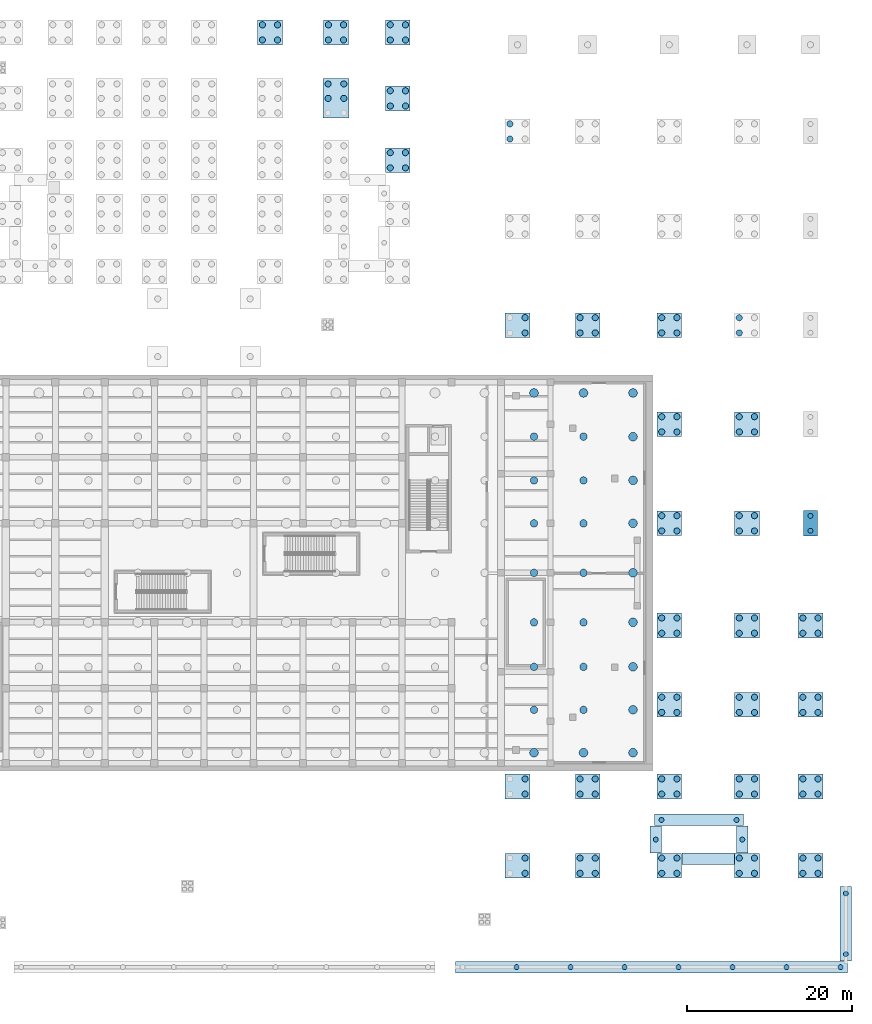
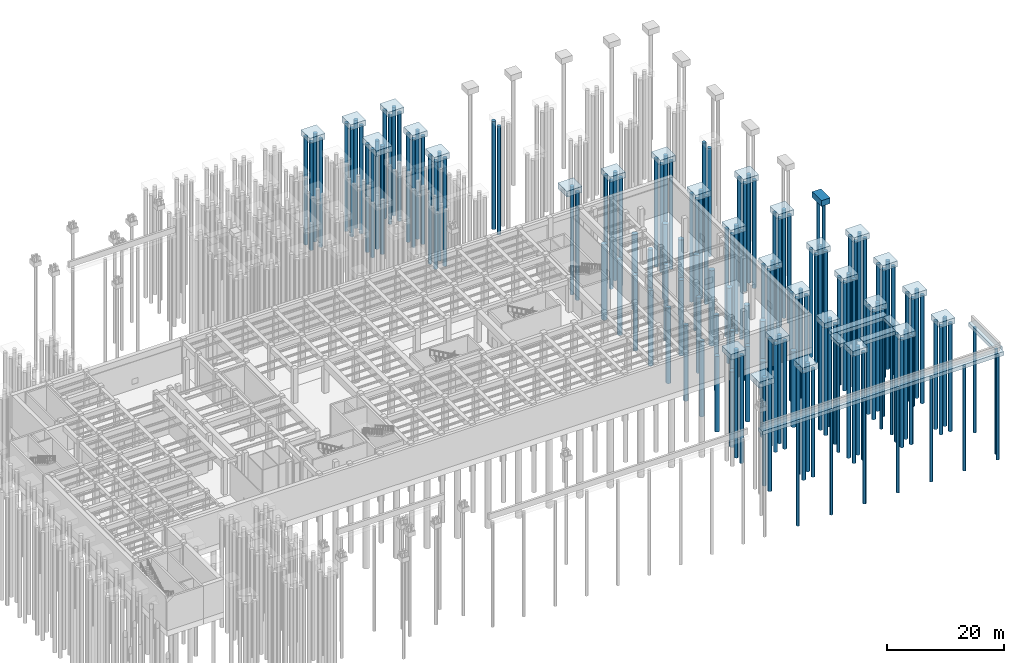
# One storey, part 5 of 30: 156 piles, 36 footings.
"""IFC4 building model written with IfcOpenShell, lengths in metres."""

from ifc_helpers import new_model, si_unit, direction, frame, origin, origin_2d, place, context, subcontext, project, spatial, rectangle, circle, extrude, material, material_profile, profile_set, type_object, element, save


model = new_model("IFC4")

# Units and contexts
model_context = context("Model", 3, precision=1e-05, world=origin(), true_north=direction((0.0, 1.0)))
body_context = subcontext(model_context, "Body", "Model", "MODEL_VIEW")
ifc_project = project(units=[si_unit("LENGTHUNIT", "METRE"), si_unit("AREAUNIT", "SQUARE_METRE"), si_unit("VOLUMEUNIT", "CUBIC_METRE"), si_unit("PLANEANGLEUNIT", "RADIAN"), si_unit("MASSUNIT", "GRAM", prefix="KILO")], contexts=[model_context])

# Site, building, storey
site_placement = place(None, origin())
site = spatial("IfcSite", under=ifc_project, at=site_placement, CompositionType="ELEMENT")
building_placement = place(site_placement, origin())
building = spatial("IfcBuilding", under=site, at=building_placement, Name="Kolvaren Corner Interchange", CompositionType="ELEMENT")
storey_placement = place(building_placement, frame((0.0, 0.0, -7.199951171875)))
storey = spatial("IfcBuildingStorey", under=building, at=storey_placement, Name="B1", CompositionType="ELEMENT", Elevation=-7.199951171875)

# Footings
ifc_material_1 = material(Name="Concrete C40/50", Category="concrete")
footing_type_1 = type_object("IfcFootingType", Name="FC-2P", PredefinedType="PILE_CAP", material=ifc_material_1)
footing_1_placement = place(storey_placement, frame((163.5, 54.0, 5.60009765625), z_axis=(0.0, 0.0, 1.0), x_axis=(1.0, 0.0, 0.0)))
element("IfcFooting", 1, at=footing_1_placement, inside=storey, type_object=footing_type_1, Name="Reinforced Concrete Foundation Pile Cap 135", PredefinedType="PILE_CAP", context=body_context, shape_type="SweptSolid", body=[
    extrude(rectangle(XDim=1.699951171875, YDim=3.10009765625, at=origin_2d()), origin(), (0.0, 0.0, 1.0), 1.199951171875),
])
ifc_material_2 = material(Name="Concrete C40/50", Category="concrete")
footing_type_2 = type_object("IfcFootingType", Name="FC-4P", PredefinedType="PILE_CAP", material=ifc_material_2)
for number, where, z_axis, x_axis, name in (
    (2, (98.0, 113.5, 5.60009765625), (0.0, 0.0, 1.0), (1.0, 0.0, 0.0), "Reinforced Concrete Foundation Pile Cap 084"),
    (3, (106.0, 113.5, 5.60009765625), (0.0, 0.0, 1.0), (1.0, 0.0, 0.0), "Reinforced Concrete Foundation Pile Cap 089"),
    (4, (113.5, 98.0, 5.60009765625), (0.0, 0.0, 1.0), (1.0, 0.0, 0.0), "Reinforced Concrete Foundation Pile Cap 092"),
    (5, (113.5, 105.5, 5.60009765625), (0.0, 0.0, 1.0), (1.0, 0.0, 0.0), "Reinforced Concrete Foundation Pile Cap 093"),
    (6, (113.5, 113.5, 5.60009765625), (0.0, 0.0, 1.0), (1.0, 0.0, 0.0), "Reinforced Concrete Foundation Pile Cap 094"),
    (7, (128.0, 12.5, 5.60009765625), (0.0, 0.0, 1.0), (1.0, 0.0, 0.0), "Reinforced Concrete Foundation Pile Cap 099"),
    (8, (128.0, 22.10009765625, 5.60009765625), (0.0, 0.0, 1.0), (1.0, 0.0, 0.0), "Reinforced Concrete Foundation Pile Cap 100"),
    (9, (128.0, 78.0, 5.60009765625), (0.0, 0.0, 1.0), (1.0, 0.0, 0.0), "Reinforced Concrete Foundation Pile Cap 101"),
    (10, (136.5, 12.5, 5.60009765625), (0.0, 0.0, 1.0), (1.0, 0.0, 0.0), "Reinforced Concrete Foundation Pile Cap 105"),
    (11, (136.5, 22.10009765625, 5.60009765625), (0.0, 0.0, 1.0), (1.0, 0.0, 0.0), "Reinforced Concrete Foundation Pile Cap 106"),
    (12, (136.5, 78.0, 5.60009765625), (0.0, 0.0, 1.0), (1.0, 0.0, 0.0), "Reinforced Concrete Foundation Pile Cap 107"),
    (13, (146.39990234375, 12.5, 5.60009765625), (0.0, 0.0, 1.0), (1.0, 0.0, 0.0), "Reinforced Concrete Foundation Pile Cap 111"),
    (14, (146.39990234375, 22.10009765625, 5.60009765625), (0.0, 0.0, 1.0), (1.0, 0.0, 0.0), "Reinforced Concrete Foundation Pile Cap 112"),
    (15, (146.39990234375, 32.0, 5.60009765625), (0.0, 0.0, 1.0), (1.0, 0.0, 0.0), "Reinforced Concrete Foundation Pile Cap 113"),
    (16, (146.39990234375, 41.60009765625, 5.60009765625), (0.0, 0.0, 1.0), (1.0, 0.0, 0.0), "Reinforced Concrete Foundation Pile Cap 114"),
    (17, (146.39990234375, 54.0, 5.60009765625), (0.0, 0.0, 1.0), (1.0, 0.0, 0.0), "Reinforced Concrete Foundation Pile Cap 115"),
    (18, (146.39990234375, 66.0, 5.60009765625), (0.0, 0.0, 1.0), (1.0, 0.0, 0.0), "Reinforced Concrete Foundation Pile Cap 116"),
    (19, (146.39990234375, 78.0, 5.60009765625), (0.0, 0.0, 1.0), (1.0, 0.0, 0.0), "Reinforced Concrete Foundation Pile Cap 117"),
    (20, (155.800048828125, 12.5, 5.60009765625), (0.0, 0.0, 1.0), (1.0, 0.0, 0.0), "Reinforced Concrete Foundation Pile Cap 121"),
    (21, (155.800048828125, 22.10009765625, 5.60009765625), (0.0, 0.0, 1.0), (1.0, 0.0, 0.0), "Reinforced Concrete Foundation Pile Cap 122"),
    (22, (155.800048828125, 32.0, 5.60009765625), (0.0, 0.0, 1.0), (1.0, 0.0, 0.0), "Reinforced Concrete Foundation Pile Cap 123"),
    (23, (155.800048828125, 41.60009765625, 5.60009765625), (0.0, 0.0, 1.0), (1.0, 0.0, 0.0), "Reinforced Concrete Foundation Pile Cap 124"),
    (24, (155.800048828125, 54.0, 5.60009765625), (0.0, 0.0, 1.0), (1.0, 0.0, 0.0), "Reinforced Concrete Foundation Pile Cap 125"),
    (25, (155.800048828125, 66.0, 5.60009765625), (0.0, 0.0, 1.0), (1.0, 0.0, 0.0), "Reinforced Concrete Foundation Pile Cap 126"),
    (26, (163.5, 12.5, 5.60009765625), (0.0, 0.0, 1.0), (1.0, 0.0, 0.0), "Reinforced Concrete Foundation Pile Cap 131"),
    (27, (163.5, 22.10009765625, 5.60009765625), (0.0, 0.0, 1.0), (1.0, 0.0, 0.0), "Reinforced Concrete Foundation Pile Cap 132"),
    (28, (163.5, 32.0, 5.60009765625), (0.0, 0.0, 1.0), (1.0, 0.0, 0.0), "Reinforced Concrete Foundation Pile Cap 133"),
    (29, (163.5, 41.60009765625, 5.60009765625), (0.0, 0.0, 1.0), (1.0, 0.0, 0.0), "Reinforced Concrete Foundation Pile Cap 134"),
):
    element("IfcFooting", number, at=place(storey_placement, frame(where, z_axis=z_axis, x_axis=x_axis)), inside=storey, type_object=footing_type_2, Name=name, PredefinedType="PILE_CAP", context=body_context, shape_type="SweptSolid", body=[
        extrude(rectangle(XDim=3.0, YDim=3.0, at=origin_2d()), origin(), (0.0, 0.0, 1.0), 1.199951171875),
    ])
ifc_material_3 = material(Name="Concrete C40/50", Category="concrete")
footing_type_3 = type_object("IfcFootingType", Name="FC-6P", PredefinedType="PILE_CAP", material=ifc_material_3)
footing_2_placement = place(storey_placement, frame((106.0, 105.5, 5.60009765625), z_axis=(0.0, 0.0, 1.0), x_axis=(1.0, 0.0, 0.0)))
element("IfcFooting", 30, at=footing_2_placement, inside=storey, type_object=footing_type_3, Name="Reinforced Concrete Foundation Pile Cap 088", PredefinedType="PILE_CAP", context=body_context, shape_type="SweptSolid", body=[
    extrude(rectangle(XDim=3.199951171875, YDim=4.800048828125, at=origin_2d()), origin(), (0.0, 0.0, 1.0), 1.199951171875),
])
ifc_material_4 = material(Name="Concrete C40/50", Category="concrete")
ifc_material_profile_1 = material_profile(ifc_material_4, rectangle(XDim=1.39990234375, YDim=0.800048828125, at=origin_2d()), Name="STRIP 1400x800")
ifc_profile_set_1 = profile_set([ifc_material_profile_1], Name="Concrete C40/50")
footing_type_4 = type_object("IfcFootingType", Name="FS-STRIP1", PredefinedType="STRIP_FOOTING", material=ifc_profile_set_1)
footing_3_placement = place(storey_placement, frame((120.5, 0.2099609375, 5.300048828125), z_axis=(1.0, 0.0, 0.0), x_axis=(0.0, 1.0, 0.0)))
element("IfcFooting", 31, at=footing_3_placement, inside=storey, type_object=footing_type_4, Name="Southeast Bus Apron Plinth Strip Footing", PredefinedType="STRIP_FOOTING", context=body_context, shape_type="SweptSolid", body=[
    extrude(rectangle(XDim=1.39990234375, YDim=0.800048828125, at=origin_2d()), origin(), (0.0, 0.0, 1.0), 47.5),
])
footing_4_placement = place(storey_placement, frame((167.7900390625, 0.929931640625, 5.300048828125), z_axis=(0.0, 1.0, 0.0), x_axis=(-1.0, 0.0, 0.0)))
element("IfcFooting", 32, at=footing_4_placement, inside=storey, type_object=footing_type_4, Name="East Apron Plinth Strip Footing", PredefinedType="STRIP_FOOTING", context=body_context, shape_type="SweptSolid", body=[
    extrude(rectangle(XDim=1.39990234375, YDim=0.800048828125, at=origin_2d()), origin(), (0.0, 0.0, 1.0), 9.070068359375),
])
footing_5_placement = place(storey_placement, frame((147.919921875, 13.35498046875, 6.39990234375), z_axis=(1.0, 0.0, 0.0), x_axis=(0.0, 1.0, 0.0)))
element("IfcFooting", 33, at=footing_5_placement, inside=storey, type_object=footing_type_4, Name="Bus Dispatch Lounge Exit Stair South Strip Footing", PredefinedType="STRIP_FOOTING", context=body_context, shape_type="SweptSolid", body=[
    extrude(rectangle(XDim=1.39990234375, YDim=0.800048828125, at=origin_2d()), origin(), (0.0, 0.0, 1.0), 6.360107421875),
])
footing_6_placement = place(storey_placement, frame((144.60009765625, 18.044921875, 6.39990234375), z_axis=(1.0, 0.0, 0.0), x_axis=(0.0, 1.0, 0.0)))
element("IfcFooting", 34, at=footing_6_placement, inside=storey, type_object=footing_type_4, Name="Bus Dispatch Lounge Exit Stair North Strip Footing", PredefinedType="STRIP_FOOTING", context=body_context, shape_type="SweptSolid", body=[
    extrude(rectangle(XDim=1.39990234375, YDim=0.800048828125, at=origin_2d()), origin(), (0.0, 0.0, 1.0), 10.7998046875),
])
for number, where, z_axis, x_axis, name in (
    (35, (144.7548828125, 14.02001953125, 6.39990234375), (0.0, 1.0, 0.0), (-1.0, 0.0, 0.0), "Bus Dispatch Lounge Exit Stair West Strip Footing"),
    (36, (155.2451171875, 14.02001953125, 6.39990234375), (0.0, 1.0, 0.0), (-1.0, 0.0, 0.0), "Bus Dispatch Lounge Exit Stair East Strip Footing"),
):
    element("IfcFooting", number, at=place(storey_placement, frame(where, z_axis=z_axis, x_axis=x_axis)), inside=storey, type_object=footing_type_4, Name=name, PredefinedType="STRIP_FOOTING", context=body_context, shape_type="SweptSolid", body=[
        extrude(rectangle(XDim=1.39990234375, YDim=0.800048828125, at=origin_2d()), origin(), (0.0, 0.0, 1.0), 3.304931640625),
    ])

# Piles
ifc_material_5 = material(Name="Concrete C40/50", Category="concrete")
ifc_material_profile_2 = material_profile(ifc_material_5, circle(Radius=0.52490234375, at=origin_2d()), Name="BORED PILE 1050")
ifc_profile_set_2 = profile_set([ifc_material_profile_2], Name="Concrete C40/50")
pile_type_1 = type_object("IfcPileType", Name="PILE-BP1050", PredefinedType="BORED", material=ifc_profile_set_2)
for number, where, z_axis, x_axis, name in (
    (37, (130.0, 26.199951171875, -1.10009765625), (0.0, 0.0, -1.0), (1.0, 0.0, 0.0), "Metro Base Raft Rotary Bored Pile 0172"),
    (38, (130.0, 69.800048828125, -1.10009765625), (0.0, 0.0, -1.0), (1.0, 0.0, 0.0), "Metro Base Raft Rotary Bored Pile 0180"),
    (39, (136.0, 26.199951171875, -1.10009765625), (0.0, 0.0, -1.0), (1.0, 0.0, 0.0), "Metro Base Raft Rotary Bored Pile 0181"),
    (40, (136.0, 69.800048828125, -1.10009765625), (0.0, 0.0, -1.0), (1.0, 0.0, 0.0), "Metro Base Raft Rotary Bored Pile 0189"),
    (41, (142.0, 26.199951171875, -1.10009765625), (0.0, 0.0, -1.0), (1.0, 0.0, 0.0), "Metro Base Raft Rotary Bored Pile 0190"),
    (42, (142.0, 31.39990234375, -1.10009765625), (0.0, 0.0, -1.0), (1.0, 0.0, 0.0), "Metro Base Raft Rotary Bored Pile 0191"),
    (43, (142.0, 36.60009765625, -1.10009765625), (0.0, 0.0, -1.0), (1.0, 0.0, 0.0), "Metro Base Raft Rotary Bored Pile 0192"),
    (44, (142.0, 42.0, -1.10009765625), (0.0, 0.0, -1.0), (1.0, 0.0, 0.0), "Metro Base Raft Rotary Bored Pile 0193"),
    (45, (142.0, 48.0, -1.10009765625), (0.0, 0.0, -1.0), (1.0, 0.0, 0.0), "Metro Base Raft Rotary Bored Pile 0194"),
    (46, (142.0, 54.0, -1.10009765625), (0.0, 0.0, -1.0), (1.0, 0.0, 0.0), "Metro Base Raft Rotary Bored Pile 0195"),
    (47, (142.0, 59.199951171875, -1.10009765625), (0.0, 0.0, -1.0), (1.0, 0.0, 0.0), "Metro Base Raft Rotary Bored Pile 0196"),
    (48, (142.0, 64.5, -1.10009765625), (0.0, 0.0, -1.0), (1.0, 0.0, 0.0), "Metro Base Raft Rotary Bored Pile 0197"),
    (49, (142.0, 69.800048828125, -1.10009765625), (0.0, 0.0, -1.0), (1.0, 0.0, 0.0), "Metro Base Raft Rotary Bored Pile 0198"),
):
    element("IfcPile", number, at=place(storey_placement, frame(where, z_axis=z_axis, x_axis=x_axis)), inside=storey, type_object=pile_type_1, Name=name, PredefinedType="BORED", context=body_context, shape_type="SweptSolid", body=[
        extrude(circle(Radius=0.52490234375, at=origin_2d()), origin(), (0.0, 0.0, 1.0), 15.699951171875),
    ])
ifc_material_6 = material(Name="Concrete C40/50", Category="concrete")
ifc_material_profile_3 = material_profile(ifc_material_6, circle(Radius=0.300048828125, at=origin_2d()), Name="BORED PILE 600")
ifc_profile_set_3 = profile_set([ifc_material_profile_3], Name="Concrete C40/50")
pile_type_2 = type_object("IfcPileType", Name="PILE-BP600", PredefinedType="BORED", material=ifc_profile_set_3)
for number, where, z_axis, x_axis, name in (
    (50, (163.5, 53.10009765625, 5.699951171875), (0.0, 0.0, -1.0), (1.0, 0.0, 0.0), "Pile Cap Rotary Bored Pile 0507"),
    (51, (163.5, 54.89990234375, 5.699951171875), (0.0, 0.0, -1.0), (1.0, 0.0, 0.0), "Pile Cap Rotary Bored Pile 0508"),
):
    element("IfcPile", number, at=place(storey_placement, frame(where, z_axis=z_axis, x_axis=x_axis)), inside=storey, type_object=pile_type_2, Name=name, PredefinedType="BORED", context=body_context, shape_type="SweptSolid", body=[
        extrude(circle(Radius=0.300048828125, at=origin_2d()), origin(), (0.0, 0.0, 1.0), 22.5),
    ])
for number, where, z_axis, x_axis, name in (
    (52, (127.892822265625, 0.2099609375, 5.0), (0.0, 0.0, -1.0), (1.0, 0.0, 0.0), "Southeast Bus Apron Plinth Strip Footing Bored Pile 011"),
    (53, (134.435791015625, 0.2099609375, 5.0), (0.0, 0.0, -1.0), (1.0, 0.0, 0.0), "Southeast Bus Apron Plinth Strip Footing Bored Pile 012"),
    (54, (140.978515625, 0.2099609375, 5.0), (0.0, 0.0, -1.0), (1.0, 0.0, 0.0), "Southeast Bus Apron Plinth Strip Footing Bored Pile 013"),
    (55, (147.521484375, 0.2099609375, 5.0), (0.0, 0.0, -1.0), (1.0, 0.0, 0.0), "Southeast Bus Apron Plinth Strip Footing Bored Pile 014"),
    (56, (154.064208984375, 0.2099609375, 5.0), (0.0, 0.0, -1.0), (1.0, 0.0, 0.0), "Southeast Bus Apron Plinth Strip Footing Bored Pile 015"),
    (57, (160.607177734375, 0.2099609375, 5.0), (0.0, 0.0, -1.0), (1.0, 0.0, 0.0), "Southeast Bus Apron Plinth Strip Footing Bored Pile 016"),
    (58, (167.14990234375, 0.2099609375, 5.0), (0.0, 0.0, -1.0), (1.0, 0.0, 0.0), "Southeast Bus Apron Plinth Strip Footing Bored Pile 017"),
    (59, (167.7900390625, 1.780029296875, 5.0), (0.0, 0.0, -1.0), (1.0, 0.0, 0.0), "East Apron Plinth Strip Footing Bored Pile 018"),
    (60, (167.7900390625, 9.14990234375, 5.0), (0.0, 0.0, -1.0), (1.0, 0.0, 0.0), "East Apron Plinth Strip Footing Bored Pile 019"),
):
    element("IfcPile", number, at=place(storey_placement, frame(where, z_axis=z_axis, x_axis=x_axis)), inside=storey, type_object=pile_type_2, Name=name, PredefinedType="BORED", context=body_context, shape_type="SweptSolid", body=[
        extrude(circle(Radius=0.300048828125, at=origin_2d()), origin(), (0.0, 0.0, 1.0), 21.800048828125),
    ])
for number, where, z_axis, x_axis, name in (
    (61, (145.449951171875, 18.044921875, 6.099853515625), (0.0, 0.0, -1.0), (1.0, 0.0, 0.0), "Bus Dispatch Lounge Exit Stair North Bored Pile 003"),
    (62, (154.550048828125, 18.044921875, 6.099853515625), (0.0, 0.0, -1.0), (1.0, 0.0, 0.0), "Bus Dispatch Lounge Exit Stair North Bored Pile 004"),
    (63, (144.7548828125, 15.672607421875, 6.099853515625), (0.0, 0.0, -1.0), (1.0, 0.0, 0.0), "Bus Dispatch Lounge Exit Stair West Bored Pile 005"),
    (64, (155.2451171875, 15.672607421875, 6.099853515625), (0.0, 0.0, -1.0), (1.0, 0.0, 0.0), "Bus Dispatch Lounge Exit Stair East Bored Pile 006"),
):
    element("IfcPile", number, at=place(storey_placement, frame(where, z_axis=z_axis, x_axis=x_axis)), inside=storey, type_object=pile_type_2, Name=name, PredefinedType="BORED", context=body_context, shape_type="SweptSolid", body=[
        extrude(circle(Radius=0.300048828125, at=origin_2d()), origin(), (0.0, 0.0, 1.0), 22.89990234375),
    ])
ifc_material_7 = material(Name="Concrete C40/50", Category="concrete")
ifc_material_profile_4 = material_profile(ifc_material_7, circle(Radius=0.375, at=origin_2d()), Name="BORED PILE 750")
ifc_profile_set_4 = profile_set([ifc_material_profile_4], Name="Concrete C40/50")
pile_type_3 = type_object("IfcPileType", Name="PILE-BP750", PredefinedType="BORED", material=ifc_profile_set_4)
for number, where, z_axis, x_axis, name in (
    (65, (97.080078125, 112.580078125, 5.699951171875), (0.0, 0.0, -1.0), (1.0, 0.0, 0.0), "Pile Cap Rotary Bored Pile 0321"),
    (66, (98.919921875, 112.580078125, 5.699951171875), (0.0, 0.0, -1.0), (1.0, 0.0, 0.0), "Pile Cap Rotary Bored Pile 0322"),
    (67, (97.080078125, 114.419921875, 5.699951171875), (0.0, 0.0, -1.0), (1.0, 0.0, 0.0), "Pile Cap Rotary Bored Pile 0323"),
    (68, (98.919921875, 114.419921875, 5.699951171875), (0.0, 0.0, -1.0), (1.0, 0.0, 0.0), "Pile Cap Rotary Bored Pile 0324"),
    (69, (105.050048828125, 105.5, 5.699951171875), (0.0, 0.0, -1.0), (1.0, 0.0, 0.0), "Pile Cap Rotary Bored Pile 0343"),
    (70, (106.949951171875, 105.5, 5.699951171875), (0.0, 0.0, -1.0), (1.0, 0.0, 0.0), "Pile Cap Rotary Bored Pile 0344"),
    (71, (105.050048828125, 107.25, 5.699951171875), (0.0, 0.0, -1.0), (1.0, 0.0, 0.0), "Pile Cap Rotary Bored Pile 0345"),
    (72, (106.949951171875, 107.25, 5.699951171875), (0.0, 0.0, -1.0), (1.0, 0.0, 0.0), "Pile Cap Rotary Bored Pile 0346"),
    (73, (105.080078125, 112.580078125, 5.699951171875), (0.0, 0.0, -1.0), (1.0, 0.0, 0.0), "Pile Cap Rotary Bored Pile 0347"),
    (74, (106.919921875, 112.580078125, 5.699951171875), (0.0, 0.0, -1.0), (1.0, 0.0, 0.0), "Pile Cap Rotary Bored Pile 0348"),
    (75, (105.080078125, 114.419921875, 5.699951171875), (0.0, 0.0, -1.0), (1.0, 0.0, 0.0), "Pile Cap Rotary Bored Pile 0349"),
    (76, (106.919921875, 114.419921875, 5.699951171875), (0.0, 0.0, -1.0), (1.0, 0.0, 0.0), "Pile Cap Rotary Bored Pile 0350"),
    (77, (112.580078125, 97.080078125, 5.699951171875), (0.0, 0.0, -1.0), (1.0, 0.0, 0.0), "Pile Cap Rotary Bored Pile 0359"),
    (78, (114.419921875, 97.080078125, 5.699951171875), (0.0, 0.0, -1.0), (1.0, 0.0, 0.0), "Pile Cap Rotary Bored Pile 0360"),
    (79, (112.580078125, 98.919921875, 5.699951171875), (0.0, 0.0, -1.0), (1.0, 0.0, 0.0), "Pile Cap Rotary Bored Pile 0361"),
    (80, (114.419921875, 98.919921875, 5.699951171875), (0.0, 0.0, -1.0), (1.0, 0.0, 0.0), "Pile Cap Rotary Bored Pile 0362"),
    (81, (112.580078125, 104.580078125, 5.699951171875), (0.0, 0.0, -1.0), (1.0, 0.0, 0.0), "Pile Cap Rotary Bored Pile 0363"),
    (82, (114.419921875, 104.580078125, 5.699951171875), (0.0, 0.0, -1.0), (1.0, 0.0, 0.0), "Pile Cap Rotary Bored Pile 0364"),
    (83, (112.580078125, 106.419921875, 5.699951171875), (0.0, 0.0, -1.0), (1.0, 0.0, 0.0), "Pile Cap Rotary Bored Pile 0365"),
    (84, (114.419921875, 106.419921875, 5.699951171875), (0.0, 0.0, -1.0), (1.0, 0.0, 0.0), "Pile Cap Rotary Bored Pile 0366"),
    (85, (112.580078125, 112.580078125, 5.699951171875), (0.0, 0.0, -1.0), (1.0, 0.0, 0.0), "Pile Cap Rotary Bored Pile 0367"),
    (86, (114.419921875, 112.580078125, 5.699951171875), (0.0, 0.0, -1.0), (1.0, 0.0, 0.0), "Pile Cap Rotary Bored Pile 0368"),
    (87, (112.580078125, 114.419921875, 5.699951171875), (0.0, 0.0, -1.0), (1.0, 0.0, 0.0), "Pile Cap Rotary Bored Pile 0369"),
    (88, (114.419921875, 114.419921875, 5.699951171875), (0.0, 0.0, -1.0), (1.0, 0.0, 0.0), "Pile Cap Rotary Bored Pile 0370"),
    (89, (128.919921875, 11.580078125, 5.699951171875), (0.0, 0.0, -1.0), (1.0, 0.0, 0.0), "Pile Cap Rotary Bored Pile 0376"),
    (90, (128.919921875, 13.419921875, 5.699951171875), (0.0, 0.0, -1.0), (1.0, 0.0, 0.0), "Pile Cap Rotary Bored Pile 0378"),
    (91, (128.919921875, 21.179931640625, 5.699951171875), (0.0, 0.0, -1.0), (1.0, 0.0, 0.0), "Pile Cap Rotary Bored Pile 0380"),
    (92, (128.919921875, 23.02001953125, 5.699951171875), (0.0, 0.0, -1.0), (1.0, 0.0, 0.0), "Pile Cap Rotary Bored Pile 0382"),
    (93, (128.919921875, 77.080078125, 5.699951171875), (0.0, 0.0, -1.0), (1.0, 0.0, 0.0), "Pile Cap Rotary Bored Pile 0384"),
    (94, (128.919921875, 78.919921875, 5.699951171875), (0.0, 0.0, -1.0), (1.0, 0.0, 0.0), "Pile Cap Rotary Bored Pile 0386"),
    (95, (127.080078125, 100.580078125, 5.699951171875), (0.0, 0.0, -1.0), (1.0, 0.0, 0.0), "Pile Cap Rotary Bored Pile 0391"),
    (96, (127.080078125, 102.419921875, 5.699951171875), (0.0, 0.0, -1.0), (1.0, 0.0, 0.0), "Pile Cap Rotary Bored Pile 0393"),
    (97, (135.580078125, 11.580078125, 5.699951171875), (0.0, 0.0, -1.0), (1.0, 0.0, 0.0), "Pile Cap Rotary Bored Pile 0396"),
    (98, (137.419921875, 11.580078125, 5.699951171875), (0.0, 0.0, -1.0), (1.0, 0.0, 0.0), "Pile Cap Rotary Bored Pile 0397"),
    (99, (135.580078125, 13.419921875, 5.699951171875), (0.0, 0.0, -1.0), (1.0, 0.0, 0.0), "Pile Cap Rotary Bored Pile 0398"),
    (100, (137.419921875, 13.419921875, 5.699951171875), (0.0, 0.0, -1.0), (1.0, 0.0, 0.0), "Pile Cap Rotary Bored Pile 0399"),
    (101, (135.580078125, 21.179931640625, 5.699951171875), (0.0, 0.0, -1.0), (1.0, 0.0, 0.0), "Pile Cap Rotary Bored Pile 0400"),
    (102, (137.419921875, 21.179931640625, 5.699951171875), (0.0, 0.0, -1.0), (1.0, 0.0, 0.0), "Pile Cap Rotary Bored Pile 0401"),
    (103, (135.580078125, 23.02001953125, 5.699951171875), (0.0, 0.0, -1.0), (1.0, 0.0, 0.0), "Pile Cap Rotary Bored Pile 0402"),
    (104, (137.419921875, 23.02001953125, 5.699951171875), (0.0, 0.0, -1.0), (1.0, 0.0, 0.0), "Pile Cap Rotary Bored Pile 0403"),
    (105, (135.580078125, 77.080078125, 5.699951171875), (0.0, 0.0, -1.0), (1.0, 0.0, 0.0), "Pile Cap Rotary Bored Pile 0404"),
    (106, (137.419921875, 77.080078125, 5.699951171875), (0.0, 0.0, -1.0), (1.0, 0.0, 0.0), "Pile Cap Rotary Bored Pile 0405"),
    (107, (135.580078125, 78.919921875, 5.699951171875), (0.0, 0.0, -1.0), (1.0, 0.0, 0.0), "Pile Cap Rotary Bored Pile 0406"),
    (108, (137.419921875, 78.919921875, 5.699951171875), (0.0, 0.0, -1.0), (1.0, 0.0, 0.0), "Pile Cap Rotary Bored Pile 0407"),
    (109, (145.47998046875, 11.580078125, 5.699951171875), (0.0, 0.0, -1.0), (1.0, 0.0, 0.0), "Pile Cap Rotary Bored Pile 0417"),
    (110, (147.320068359375, 11.580078125, 5.699951171875), (0.0, 0.0, -1.0), (1.0, 0.0, 0.0), "Pile Cap Rotary Bored Pile 0418"),
    (111, (145.47998046875, 13.419921875, 5.699951171875), (0.0, 0.0, -1.0), (1.0, 0.0, 0.0), "Pile Cap Rotary Bored Pile 0419"),
    (112, (147.320068359375, 13.419921875, 5.699951171875), (0.0, 0.0, -1.0), (1.0, 0.0, 0.0), "Pile Cap Rotary Bored Pile 0420"),
    (113, (145.47998046875, 21.179931640625, 5.699951171875), (0.0, 0.0, -1.0), (1.0, 0.0, 0.0), "Pile Cap Rotary Bored Pile 0421"),
    (114, (147.320068359375, 21.179931640625, 5.699951171875), (0.0, 0.0, -1.0), (1.0, 0.0, 0.0), "Pile Cap Rotary Bored Pile 0422"),
    (115, (145.47998046875, 23.02001953125, 5.699951171875), (0.0, 0.0, -1.0), (1.0, 0.0, 0.0), "Pile Cap Rotary Bored Pile 0423"),
    (116, (147.320068359375, 23.02001953125, 5.699951171875), (0.0, 0.0, -1.0), (1.0, 0.0, 0.0), "Pile Cap Rotary Bored Pile 0424"),
    (117, (145.47998046875, 31.080078125, 5.699951171875), (0.0, 0.0, -1.0), (1.0, 0.0, 0.0), "Pile Cap Rotary Bored Pile 0425"),
    (118, (147.320068359375, 31.080078125, 5.699951171875), (0.0, 0.0, -1.0), (1.0, 0.0, 0.0), "Pile Cap Rotary Bored Pile 0426"),
    (119, (145.47998046875, 32.919921875, 5.699951171875), (0.0, 0.0, -1.0), (1.0, 0.0, 0.0), "Pile Cap Rotary Bored Pile 0427"),
    (120, (147.320068359375, 32.919921875, 5.699951171875), (0.0, 0.0, -1.0), (1.0, 0.0, 0.0), "Pile Cap Rotary Bored Pile 0428"),
    (121, (145.47998046875, 40.679931640625, 5.699951171875), (0.0, 0.0, -1.0), (1.0, 0.0, 0.0), "Pile Cap Rotary Bored Pile 0429"),
    (122, (147.320068359375, 40.679931640625, 5.699951171875), (0.0, 0.0, -1.0), (1.0, 0.0, 0.0), "Pile Cap Rotary Bored Pile 0430"),
    (123, (145.47998046875, 42.52001953125, 5.699951171875), (0.0, 0.0, -1.0), (1.0, 0.0, 0.0), "Pile Cap Rotary Bored Pile 0431"),
    (124, (147.320068359375, 42.52001953125, 5.699951171875), (0.0, 0.0, -1.0), (1.0, 0.0, 0.0), "Pile Cap Rotary Bored Pile 0432"),
    (125, (145.47998046875, 53.080078125, 5.699951171875), (0.0, 0.0, -1.0), (1.0, 0.0, 0.0), "Pile Cap Rotary Bored Pile 0433"),
    (126, (147.320068359375, 53.080078125, 5.699951171875), (0.0, 0.0, -1.0), (1.0, 0.0, 0.0), "Pile Cap Rotary Bored Pile 0434"),
    (127, (145.47998046875, 54.919921875, 5.699951171875), (0.0, 0.0, -1.0), (1.0, 0.0, 0.0), "Pile Cap Rotary Bored Pile 0435"),
    (128, (147.320068359375, 54.919921875, 5.699951171875), (0.0, 0.0, -1.0), (1.0, 0.0, 0.0), "Pile Cap Rotary Bored Pile 0436"),
    (129, (145.47998046875, 65.080078125, 5.699951171875), (0.0, 0.0, -1.0), (1.0, 0.0, 0.0), "Pile Cap Rotary Bored Pile 0437"),
    (130, (147.320068359375, 65.080078125, 5.699951171875), (0.0, 0.0, -1.0), (1.0, 0.0, 0.0), "Pile Cap Rotary Bored Pile 0438"),
    (131, (145.47998046875, 66.919921875, 5.699951171875), (0.0, 0.0, -1.0), (1.0, 0.0, 0.0), "Pile Cap Rotary Bored Pile 0439"),
    (132, (147.320068359375, 66.919921875, 5.699951171875), (0.0, 0.0, -1.0), (1.0, 0.0, 0.0), "Pile Cap Rotary Bored Pile 0440"),
    (133, (145.47998046875, 77.080078125, 5.699951171875), (0.0, 0.0, -1.0), (1.0, 0.0, 0.0), "Pile Cap Rotary Bored Pile 0441"),
    (134, (147.320068359375, 77.080078125, 5.699951171875), (0.0, 0.0, -1.0), (1.0, 0.0, 0.0), "Pile Cap Rotary Bored Pile 0442"),
    (135, (145.47998046875, 78.919921875, 5.699951171875), (0.0, 0.0, -1.0), (1.0, 0.0, 0.0), "Pile Cap Rotary Bored Pile 0443"),
    (136, (147.320068359375, 78.919921875, 5.699951171875), (0.0, 0.0, -1.0), (1.0, 0.0, 0.0), "Pile Cap Rotary Bored Pile 0444"),
    (137, (154.8798828125, 11.580078125, 5.699951171875), (0.0, 0.0, -1.0), (1.0, 0.0, 0.0), "Pile Cap Rotary Bored Pile 0454"),
    (138, (156.719970703125, 11.580078125, 5.699951171875), (0.0, 0.0, -1.0), (1.0, 0.0, 0.0), "Pile Cap Rotary Bored Pile 0455"),
    (139, (154.8798828125, 13.419921875, 5.699951171875), (0.0, 0.0, -1.0), (1.0, 0.0, 0.0), "Pile Cap Rotary Bored Pile 0456"),
    (140, (156.719970703125, 13.419921875, 5.699951171875), (0.0, 0.0, -1.0), (1.0, 0.0, 0.0), "Pile Cap Rotary Bored Pile 0457"),
    (141, (154.8798828125, 21.179931640625, 5.699951171875), (0.0, 0.0, -1.0), (1.0, 0.0, 0.0), "Pile Cap Rotary Bored Pile 0458"),
    (142, (156.719970703125, 21.179931640625, 5.699951171875), (0.0, 0.0, -1.0), (1.0, 0.0, 0.0), "Pile Cap Rotary Bored Pile 0459"),
    (143, (154.8798828125, 23.02001953125, 5.699951171875), (0.0, 0.0, -1.0), (1.0, 0.0, 0.0), "Pile Cap Rotary Bored Pile 0460"),
    (144, (156.719970703125, 23.02001953125, 5.699951171875), (0.0, 0.0, -1.0), (1.0, 0.0, 0.0), "Pile Cap Rotary Bored Pile 0461"),
    (145, (154.8798828125, 31.080078125, 5.699951171875), (0.0, 0.0, -1.0), (1.0, 0.0, 0.0), "Pile Cap Rotary Bored Pile 0462"),
    (146, (156.719970703125, 31.080078125, 5.699951171875), (0.0, 0.0, -1.0), (1.0, 0.0, 0.0), "Pile Cap Rotary Bored Pile 0463"),
    (147, (154.8798828125, 32.919921875, 5.699951171875), (0.0, 0.0, -1.0), (1.0, 0.0, 0.0), "Pile Cap Rotary Bored Pile 0464"),
    (148, (156.719970703125, 32.919921875, 5.699951171875), (0.0, 0.0, -1.0), (1.0, 0.0, 0.0), "Pile Cap Rotary Bored Pile 0465"),
    (149, (154.8798828125, 40.679931640625, 5.699951171875), (0.0, 0.0, -1.0), (1.0, 0.0, 0.0), "Pile Cap Rotary Bored Pile 0466"),
    (150, (156.719970703125, 40.679931640625, 5.699951171875), (0.0, 0.0, -1.0), (1.0, 0.0, 0.0), "Pile Cap Rotary Bored Pile 0467"),
    (151, (154.8798828125, 42.52001953125, 5.699951171875), (0.0, 0.0, -1.0), (1.0, 0.0, 0.0), "Pile Cap Rotary Bored Pile 0468"),
    (152, (156.719970703125, 42.52001953125, 5.699951171875), (0.0, 0.0, -1.0), (1.0, 0.0, 0.0), "Pile Cap Rotary Bored Pile 0469"),
    (153, (154.8798828125, 53.080078125, 5.699951171875), (0.0, 0.0, -1.0), (1.0, 0.0, 0.0), "Pile Cap Rotary Bored Pile 0470"),
    (154, (156.719970703125, 53.080078125, 5.699951171875), (0.0, 0.0, -1.0), (1.0, 0.0, 0.0), "Pile Cap Rotary Bored Pile 0471"),
    (155, (154.8798828125, 54.919921875, 5.699951171875), (0.0, 0.0, -1.0), (1.0, 0.0, 0.0), "Pile Cap Rotary Bored Pile 0472"),
    (156, (156.719970703125, 54.919921875, 5.699951171875), (0.0, 0.0, -1.0), (1.0, 0.0, 0.0), "Pile Cap Rotary Bored Pile 0473"),
    (157, (154.8798828125, 65.080078125, 5.699951171875), (0.0, 0.0, -1.0), (1.0, 0.0, 0.0), "Pile Cap Rotary Bored Pile 0474"),
    (158, (156.719970703125, 65.080078125, 5.699951171875), (0.0, 0.0, -1.0), (1.0, 0.0, 0.0), "Pile Cap Rotary Bored Pile 0475"),
    (159, (154.8798828125, 66.919921875, 5.699951171875), (0.0, 0.0, -1.0), (1.0, 0.0, 0.0), "Pile Cap Rotary Bored Pile 0476"),
    (160, (156.719970703125, 66.919921875, 5.699951171875), (0.0, 0.0, -1.0), (1.0, 0.0, 0.0), "Pile Cap Rotary Bored Pile 0477"),
    (161, (154.8798828125, 77.080078125, 5.699951171875), (0.0, 0.0, -1.0), (1.0, 0.0, 0.0), "Pile Cap Rotary Bored Pile 0478"),
    (162, (154.8798828125, 78.919921875, 5.699951171875), (0.0, 0.0, -1.0), (1.0, 0.0, 0.0), "Pile Cap Rotary Bored Pile 0480"),
    (163, (162.580078125, 11.580078125, 5.699951171875), (0.0, 0.0, -1.0), (1.0, 0.0, 0.0), "Pile Cap Rotary Bored Pile 0491"),
    (164, (164.419921875, 11.580078125, 5.699951171875), (0.0, 0.0, -1.0), (1.0, 0.0, 0.0), "Pile Cap Rotary Bored Pile 0492"),
    (165, (162.580078125, 13.419921875, 5.699951171875), (0.0, 0.0, -1.0), (1.0, 0.0, 0.0), "Pile Cap Rotary Bored Pile 0493"),
    (166, (164.419921875, 13.419921875, 5.699951171875), (0.0, 0.0, -1.0), (1.0, 0.0, 0.0), "Pile Cap Rotary Bored Pile 0494"),
    (167, (162.580078125, 21.179931640625, 5.699951171875), (0.0, 0.0, -1.0), (1.0, 0.0, 0.0), "Pile Cap Rotary Bored Pile 0495"),
    (168, (164.419921875, 21.179931640625, 5.699951171875), (0.0, 0.0, -1.0), (1.0, 0.0, 0.0), "Pile Cap Rotary Bored Pile 0496"),
    (169, (162.580078125, 23.02001953125, 5.699951171875), (0.0, 0.0, -1.0), (1.0, 0.0, 0.0), "Pile Cap Rotary Bored Pile 0497"),
    (170, (164.419921875, 23.02001953125, 5.699951171875), (0.0, 0.0, -1.0), (1.0, 0.0, 0.0), "Pile Cap Rotary Bored Pile 0498"),
    (171, (162.580078125, 31.080078125, 5.699951171875), (0.0, 0.0, -1.0), (1.0, 0.0, 0.0), "Pile Cap Rotary Bored Pile 0499"),
    (172, (164.419921875, 31.080078125, 5.699951171875), (0.0, 0.0, -1.0), (1.0, 0.0, 0.0), "Pile Cap Rotary Bored Pile 0500"),
    (173, (162.580078125, 32.919921875, 5.699951171875), (0.0, 0.0, -1.0), (1.0, 0.0, 0.0), "Pile Cap Rotary Bored Pile 0501"),
    (174, (164.419921875, 32.919921875, 5.699951171875), (0.0, 0.0, -1.0), (1.0, 0.0, 0.0), "Pile Cap Rotary Bored Pile 0502"),
    (175, (162.580078125, 40.679931640625, 5.699951171875), (0.0, 0.0, -1.0), (1.0, 0.0, 0.0), "Pile Cap Rotary Bored Pile 0503"),
    (176, (164.419921875, 40.679931640625, 5.699951171875), (0.0, 0.0, -1.0), (1.0, 0.0, 0.0), "Pile Cap Rotary Bored Pile 0504"),
    (177, (162.580078125, 42.52001953125, 5.699951171875), (0.0, 0.0, -1.0), (1.0, 0.0, 0.0), "Pile Cap Rotary Bored Pile 0505"),
    (178, (164.419921875, 42.52001953125, 5.699951171875), (0.0, 0.0, -1.0), (1.0, 0.0, 0.0), "Pile Cap Rotary Bored Pile 0506"),
):
    element("IfcPile", number, at=place(storey_placement, frame(where, z_axis=z_axis, x_axis=x_axis)), inside=storey, type_object=pile_type_3, Name=name, PredefinedType="BORED", context=body_context, shape_type="SweptSolid", body=[
        extrude(circle(Radius=0.375, at=origin_2d()), origin(), (0.0, 0.0, 1.0), 22.5),
    ])
ifc_material_8 = material(Name="Concrete C40/50", Category="concrete")
ifc_material_profile_5 = material_profile(ifc_material_8, circle(Radius=0.449951171875, at=origin_2d()), Name="BORED PILE 900")
ifc_profile_set_5 = profile_set([ifc_material_profile_5], Name="Concrete C40/50")
pile_type_4 = type_object("IfcPileType", Name="PILE-BP900", PredefinedType="BORED", material=ifc_profile_set_5)
for number, where, z_axis, x_axis, name in (
    (179, (130.0, 31.39990234375, -1.10009765625), (0.0, 0.0, -1.0), (1.0, 0.0, 0.0), "Metro Base Raft Rotary Bored Pile 0173"),
    (180, (130.0, 36.60009765625, -1.10009765625), (0.0, 0.0, -1.0), (1.0, 0.0, 0.0), "Metro Base Raft Rotary Bored Pile 0174"),
    (181, (130.0, 42.0, -1.10009765625), (0.0, 0.0, -1.0), (1.0, 0.0, 0.0), "Metro Base Raft Rotary Bored Pile 0175"),
    (182, (130.0, 48.0, -1.10009765625), (0.0, 0.0, -1.0), (1.0, 0.0, 0.0), "Metro Base Raft Rotary Bored Pile 0176"),
    (183, (130.0, 54.0, -1.10009765625), (0.0, 0.0, -1.0), (1.0, 0.0, 0.0), "Metro Base Raft Rotary Bored Pile 0177"),
    (184, (130.0, 59.199951171875, -1.10009765625), (0.0, 0.0, -1.0), (1.0, 0.0, 0.0), "Metro Base Raft Rotary Bored Pile 0178"),
    (185, (130.0, 64.5, -1.10009765625), (0.0, 0.0, -1.0), (1.0, 0.0, 0.0), "Metro Base Raft Rotary Bored Pile 0179"),
    (186, (136.0, 31.39990234375, -1.10009765625), (0.0, 0.0, -1.0), (1.0, 0.0, 0.0), "Metro Base Raft Rotary Bored Pile 0182"),
    (187, (136.0, 36.60009765625, -1.10009765625), (0.0, 0.0, -1.0), (1.0, 0.0, 0.0), "Metro Base Raft Rotary Bored Pile 0183"),
    (188, (136.0, 42.0, -1.10009765625), (0.0, 0.0, -1.0), (1.0, 0.0, 0.0), "Metro Base Raft Rotary Bored Pile 0184"),
    (189, (136.0, 48.0, -1.10009765625), (0.0, 0.0, -1.0), (1.0, 0.0, 0.0), "Metro Base Raft Rotary Bored Pile 0185"),
    (190, (136.0, 54.0, -1.10009765625), (0.0, 0.0, -1.0), (1.0, 0.0, 0.0), "Metro Base Raft Rotary Bored Pile 0186"),
    (191, (136.0, 59.199951171875, -1.10009765625), (0.0, 0.0, -1.0), (1.0, 0.0, 0.0), "Metro Base Raft Rotary Bored Pile 0187"),
    (192, (136.0, 64.5, -1.10009765625), (0.0, 0.0, -1.0), (1.0, 0.0, 0.0), "Metro Base Raft Rotary Bored Pile 0188"),
):
    element("IfcPile", number, at=place(storey_placement, frame(where, z_axis=z_axis, x_axis=x_axis)), inside=storey, type_object=pile_type_4, Name=name, PredefinedType="BORED", context=body_context, shape_type="SweptSolid", body=[
        extrude(circle(Radius=0.449951171875, at=origin_2d()), origin(), (0.0, 0.0, 1.0), 15.699951171875),
    ])

save(model, "model.ifc")
